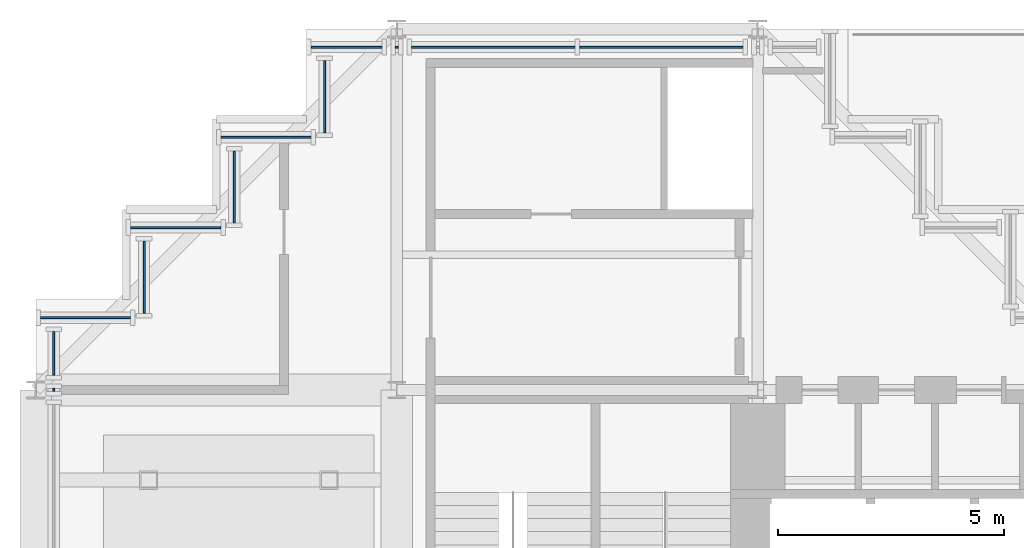
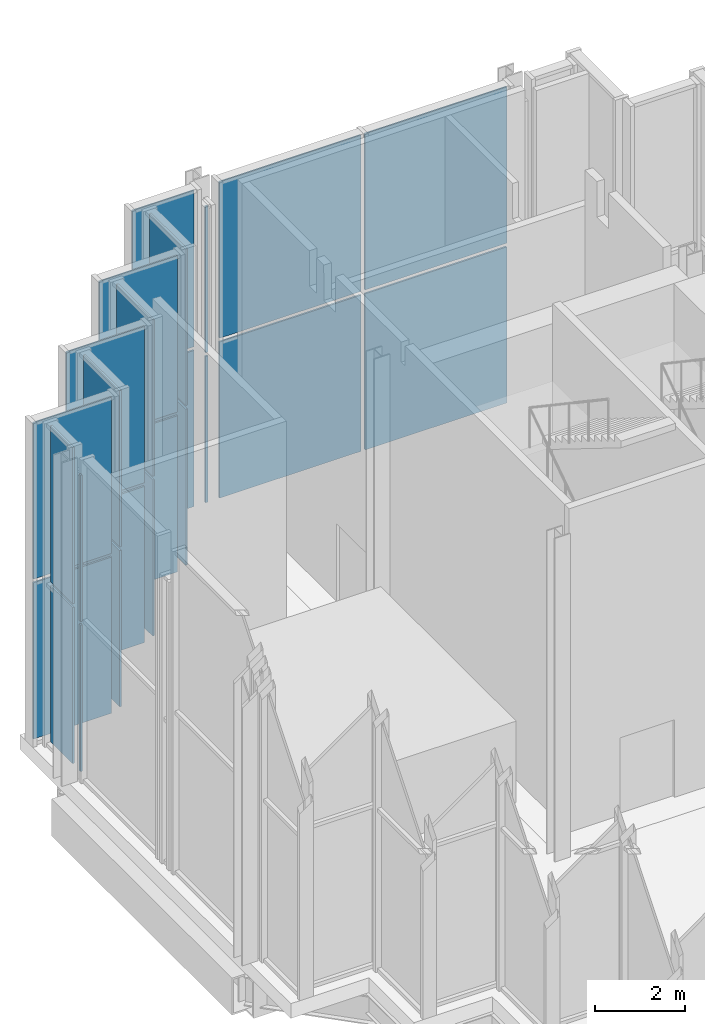
# One storey, part 9 of 15: 24 plates, 11 elements without a shape of their own.
"""IFC4 building model written with IfcOpenShell, lengths in metres."""

from ifc_helpers import new_model, si_unit, direction, frame, origin, origin_2d, place, context, subcontext, project, spatial, rectangle, extrude, material, layer, layer_set, type_object, element, aggregate, save


model = new_model("IFC4")

# Units and contexts
model_context = context("Model", 3, precision=1e-05, world=origin(), true_north=direction((0.0, 1.0)))
body_context = subcontext(model_context, "Body", "Model", "MODEL_VIEW")
ifc_project = project(units=[si_unit("LENGTHUNIT", "METRE"), si_unit("AREAUNIT", "SQUARE_METRE"), si_unit("VOLUMEUNIT", "CUBIC_METRE"), si_unit("PLANEANGLEUNIT", "RADIAN"), si_unit("MASSUNIT", "GRAM", prefix="KILO")], contexts=[model_context])

# Site, building, storey
site_placement = place(None, origin())
site = spatial("IfcSite", under=ifc_project, at=site_placement, CompositionType="ELEMENT")
building_placement = place(site_placement, origin())
building = spatial("IfcBuilding", under=site, at=building_placement, Name="Immortelle Media Tower", CompositionType="ELEMENT")
storey_placement = place(building_placement, frame((0.0, 0.0, 299.0)))
storey = spatial("IfcBuildingStorey", under=building, at=storey_placement, Name="L66", CompositionType="ELEMENT", Elevation=299.0)

# Curtain wall, plates
ifc_material_1 = material(Name="Aluminium curtain wall system", Category="aluminium")
curtain_wall_type = type_object("IfcCurtainWallType", Name="Damper hall glazing curtain wall", PredefinedType="NOTDEFINED", material=ifc_material_1)
curtain_wall_1_placement = place(storey_placement, origin())
curtain_wall_1 = element("IfcCurtainWall", 1, at=curtain_wall_1_placement, inside=storey, type_object=curtain_wall_type, Name="Damper hall glazing L66 N 14-3", PredefinedType="NOTDEFINED")
ifc_material_2 = material(Name="Warm-lit low-E double glazing", Category="glass")
ifc_layer = layer(ifc_material_2, 0.0439453125)
ifc_layer_set = layer_set([ifc_layer], Name="Warm-lit low-E double glazing")
plate_type = type_object("IfcPlateType", Name="Laminated solar control glazed panel 44 mm", PredefinedType="CURTAIN_PANEL", material=ifc_layer_set)
plate_1_placement = place(storey_placement, frame((13.86328125, 23.60009765625, 0.10009765625), z_axis=(0.0, 0.0, 1.0), x_axis=(-1.0, 0.0, 0.0)))
plate_1 = element("IfcPlate", 2, at=plate_1_placement, type_object=plate_type, Name="CW5 panel 1.1", PredefinedType="CURTAIN_PANEL", context=body_context, shape_type="SweptSolid", body=[
    extrude(rectangle(XDim=3.62646484375, YDim=0.0439453125, at=origin_2d()), origin(), (0.0, 0.0, 1.0), 4.224853515625),
])
plate_2_placement = place(storey_placement, frame((13.86328125, 23.60009765625, 4.4248046875), z_axis=(0.0, 0.0, 1.0), x_axis=(-1.0, 0.0, 0.0)))
plate_2 = element("IfcPlate", 3, at=plate_2_placement, type_object=plate_type, Name="CW5 panel 1.2", PredefinedType="CURTAIN_PANEL", context=body_context, shape_type="SweptSolid", body=[
    extrude(rectangle(XDim=3.62646484375, YDim=0.0439453125, at=origin_2d()), origin(), (0.0, 0.0, 1.0), 4.224853515625),
])
plate_3_placement = place(storey_placement, frame((10.13671875, 23.60009765625, 0.10009765625), z_axis=(0.0, 0.0, 1.0), x_axis=(-1.0, 0.0, 0.0)))
plate_3 = element("IfcPlate", 4, at=plate_3_placement, type_object=plate_type, Name="CW5 panel 2.1", PredefinedType="CURTAIN_PANEL", context=body_context, shape_type="SweptSolid", body=[
    extrude(rectangle(XDim=3.62646484375, YDim=0.0439453125, at=origin_2d()), origin(), (0.0, 0.0, 1.0), 4.224853515625),
])
plate_4_placement = place(storey_placement, frame((10.13671875, 23.60009765625, 4.4248046875), z_axis=(0.0, 0.0, 1.0), x_axis=(-1.0, 0.0, 0.0)))
plate_4 = element("IfcPlate", 5, at=plate_4_placement, type_object=plate_type, Name="CW5 panel 2.2", PredefinedType="CURTAIN_PANEL", context=body_context, shape_type="SweptSolid", body=[
    extrude(rectangle(XDim=3.62646484375, YDim=0.0439453125, at=origin_2d()), origin(), (0.0, 0.0, 1.0), 4.224853515625),
])
aggregate(curtain_wall_1, [plate_1, plate_2, plate_3, plate_4])

curtain_wall_2_placement = place(storey_placement, origin())
curtain_wall_2 = element("IfcCurtainWall", 6, at=curtain_wall_2_placement, inside=storey, type_object=curtain_wall_type, Name="Damper hall glazing L66 N 14-4", PredefinedType="NOTDEFINED")
plate_5_placement = place(storey_placement, frame((8.0, 23.60009765625, 0.10009765625), z_axis=(0.0, 0.0, 1.0), x_axis=(-1.0, 0.0, 0.0)))
plate_5 = element("IfcPlate", 7, at=plate_5_placement, type_object=plate_type, Name="CW5 panel 1.1", PredefinedType="CURTAIN_PANEL", context=body_context, shape_type="SweptSolid", body=[
    extrude(rectangle(XDim=0.06689453125, YDim=0.0439453125, at=origin_2d()), origin(), (0.0, 0.0, 1.0), 3.956787109375),
])
plate_6_placement = place(storey_placement, frame((8.0, 23.60009765625, 4.15673828125), z_axis=(0.0, 0.0, 1.0), x_axis=(-1.0, 0.0, 0.0)))
plate_6 = element("IfcPlate", 8, at=plate_6_placement, type_object=plate_type, Name="CW5 panel 1.2", PredefinedType="CURTAIN_PANEL", context=body_context, shape_type="SweptSolid", body=[
    extrude(rectangle(XDim=0.06689453125, YDim=0.0439453125, at=origin_2d()), origin(), (0.0, 0.0, 1.0), 3.956787109375),
])
aggregate(curtain_wall_2, [plate_5, plate_6])

curtain_wall_3_placement = place(storey_placement, origin())
curtain_wall_3 = element("IfcCurtainWall", 9, at=curtain_wall_3_placement, inside=storey, type_object=curtain_wall_type, Name="Damper hall glazing L66 N 14-5", PredefinedType="NOTDEFINED")
plate_7_placement = place(storey_placement, frame((6.88818359375, 23.60009765625, 0.10009765625), z_axis=(0.0, 0.0, 1.0), x_axis=(-1.0, 0.0, 0.0)))
plate_7 = element("IfcPlate", 10, at=plate_7_placement, type_object=plate_type, Name="CW5 panel 1.1", PredefinedType="CURTAIN_PANEL", context=body_context, shape_type="SweptSolid", body=[
    extrude(rectangle(XDim=1.576416015625, YDim=0.0439453125, at=origin_2d()), origin(), (0.0, 0.0, 1.0), 4.224853515625),
])
plate_8_placement = place(storey_placement, frame((6.88818359375, 23.60009765625, 4.4248046875), z_axis=(0.0, 0.0, 1.0), x_axis=(-1.0, 0.0, 0.0)))
plate_8 = element("IfcPlate", 11, at=plate_8_placement, type_object=plate_type, Name="CW5 panel 1.2", PredefinedType="CURTAIN_PANEL", context=body_context, shape_type="SweptSolid", body=[
    extrude(rectangle(XDim=1.576416015625, YDim=0.0439453125, at=origin_2d()), origin(), (0.0, 0.0, 1.0), 4.224853515625),
])
aggregate(curtain_wall_3, [plate_7, plate_8])

curtain_wall_4_placement = place(storey_placement, origin())
curtain_wall_4 = element("IfcCurtainWall", 12, at=curtain_wall_4_placement, inside=storey, type_object=curtain_wall_type, Name="Damper hall glazing L66 W 15", PredefinedType="NOTDEFINED")
plate_9_placement = place(storey_placement, frame((6.39990234375, 22.5, 0.10009765625), z_axis=(0.0, 0.0, 1.0), x_axis=(0.0, -1.0, 0.0)))
plate_9 = element("IfcPlate", 13, at=plate_9_placement, type_object=plate_type, Name="CW5 panel 1.1", PredefinedType="CURTAIN_PANEL", context=body_context, shape_type="SweptSolid", body=[
    extrude(rectangle(XDim=1.60009765625, YDim=0.0439453125, at=origin_2d()), origin(), (0.0, 0.0, 1.0), 4.224853515625),
])
plate_10_placement = place(storey_placement, frame((6.39990234375, 22.5, 4.4248046875), z_axis=(0.0, 0.0, 1.0), x_axis=(0.0, -1.0, 0.0)))
plate_10 = element("IfcPlate", 14, at=plate_10_placement, type_object=plate_type, Name="CW5 panel 1.2", PredefinedType="CURTAIN_PANEL", context=body_context, shape_type="SweptSolid", body=[
    extrude(rectangle(XDim=1.60009765625, YDim=0.0439453125, at=origin_2d()), origin(), (0.0, 0.0, 1.0), 4.224853515625),
])
aggregate(curtain_wall_4, [plate_9, plate_10])

curtain_wall_5_placement = place(storey_placement, origin())
curtain_wall_5 = element("IfcCurtainWall", 15, at=curtain_wall_5_placement, inside=storey, type_object=curtain_wall_type, Name="Damper hall glazing L66 N 16", PredefinedType="NOTDEFINED")
plate_11_placement = place(storey_placement, frame((5.10009765625, 21.60009765625, 0.10009765625), z_axis=(0.0, 0.0, 1.0), x_axis=(-1.0, 0.0, 0.0)))
plate_11 = element("IfcPlate", 16, at=plate_11_placement, type_object=plate_type, Name="CW5 panel 1.1", PredefinedType="CURTAIN_PANEL", context=body_context, shape_type="SweptSolid", body=[
    extrude(rectangle(XDim=2.0, YDim=0.0439453125, at=origin_2d()), origin(), (0.0, 0.0, 1.0), 4.224853515625),
])
plate_12_placement = place(storey_placement, frame((5.10009765625, 21.60009765625, 4.4248046875), z_axis=(0.0, 0.0, 1.0), x_axis=(-1.0, 0.0, 0.0)))
plate_12 = element("IfcPlate", 17, at=plate_12_placement, type_object=plate_type, Name="CW5 panel 1.2", PredefinedType="CURTAIN_PANEL", context=body_context, shape_type="SweptSolid", body=[
    extrude(rectangle(XDim=2.0, YDim=0.0439453125, at=origin_2d()), origin(), (0.0, 0.0, 1.0), 4.224853515625),
])
aggregate(curtain_wall_5, [plate_11, plate_12])

curtain_wall_6_placement = place(storey_placement, origin())
curtain_wall_6 = element("IfcCurtainWall", 18, at=curtain_wall_6_placement, inside=storey, type_object=curtain_wall_type, Name="Damper hall glazing L66 W 17", PredefinedType="NOTDEFINED")
plate_13_placement = place(storey_placement, frame((4.39990234375, 20.5, 0.10009765625), z_axis=(0.0, 0.0, 1.0), x_axis=(0.0, -1.0, 0.0)))
plate_13 = element("IfcPlate", 19, at=plate_13_placement, type_object=plate_type, Name="CW5 panel 1.1", PredefinedType="CURTAIN_PANEL", context=body_context, shape_type="SweptSolid", body=[
    extrude(rectangle(XDim=1.60009765625, YDim=0.0439453125, at=origin_2d()), origin(), (0.0, 0.0, 1.0), 4.224853515625),
])
plate_14_placement = place(storey_placement, frame((4.39990234375, 20.5, 4.4248046875), z_axis=(0.0, 0.0, 1.0), x_axis=(0.0, -1.0, 0.0)))
plate_14 = element("IfcPlate", 20, at=plate_14_placement, type_object=plate_type, Name="CW5 panel 1.2", PredefinedType="CURTAIN_PANEL", context=body_context, shape_type="SweptSolid", body=[
    extrude(rectangle(XDim=1.60009765625, YDim=0.0439453125, at=origin_2d()), origin(), (0.0, 0.0, 1.0), 4.224853515625),
])
aggregate(curtain_wall_6, [plate_13, plate_14])

curtain_wall_7_placement = place(storey_placement, origin())
curtain_wall_7 = element("IfcCurtainWall", 21, at=curtain_wall_7_placement, inside=storey, type_object=curtain_wall_type, Name="Damper hall glazing L66 N 18", PredefinedType="NOTDEFINED")
plate_15_placement = place(storey_placement, frame((3.10009765625, 19.60009765625, 0.10009765625), z_axis=(0.0, 0.0, 1.0), x_axis=(-1.0, 0.0, 0.0)))
plate_15 = element("IfcPlate", 22, at=plate_15_placement, type_object=plate_type, Name="CW5 panel 1.1", PredefinedType="CURTAIN_PANEL", context=body_context, shape_type="SweptSolid", body=[
    extrude(rectangle(XDim=2.0, YDim=0.0439453125, at=origin_2d()), origin(), (0.0, 0.0, 1.0), 4.224853515625),
])
plate_16_placement = place(storey_placement, frame((3.10009765625, 19.60009765625, 4.4248046875), z_axis=(0.0, 0.0, 1.0), x_axis=(-1.0, 0.0, 0.0)))
plate_16 = element("IfcPlate", 23, at=plate_16_placement, type_object=plate_type, Name="CW5 panel 1.2", PredefinedType="CURTAIN_PANEL", context=body_context, shape_type="SweptSolid", body=[
    extrude(rectangle(XDim=2.0, YDim=0.0439453125, at=origin_2d()), origin(), (0.0, 0.0, 1.0), 4.224853515625),
])
aggregate(curtain_wall_7, [plate_15, plate_16])

curtain_wall_8_placement = place(storey_placement, origin())
curtain_wall_8 = element("IfcCurtainWall", 24, at=curtain_wall_8_placement, inside=storey, type_object=curtain_wall_type, Name="Damper hall glazing L66 W 19", PredefinedType="NOTDEFINED")
plate_17_placement = place(storey_placement, frame((2.39990234375, 18.5, 0.10009765625), z_axis=(0.0, 0.0, 1.0), x_axis=(0.0, -1.0, 0.0)))
plate_17 = element("IfcPlate", 25, at=plate_17_placement, type_object=plate_type, Name="CW5 panel 1.1", PredefinedType="CURTAIN_PANEL", context=body_context, shape_type="SweptSolid", body=[
    extrude(rectangle(XDim=1.60009765625, YDim=0.0439453125, at=origin_2d()), origin(), (0.0, 0.0, 1.0), 4.224853515625),
])
plate_18_placement = place(storey_placement, frame((2.39990234375, 18.5, 4.4248046875), z_axis=(0.0, 0.0, 1.0), x_axis=(0.0, -1.0, 0.0)))
plate_18 = element("IfcPlate", 26, at=plate_18_placement, type_object=plate_type, Name="CW5 panel 1.2", PredefinedType="CURTAIN_PANEL", context=body_context, shape_type="SweptSolid", body=[
    extrude(rectangle(XDim=1.60009765625, YDim=0.0439453125, at=origin_2d()), origin(), (0.0, 0.0, 1.0), 4.224853515625),
])
aggregate(curtain_wall_8, [plate_17, plate_18])

curtain_wall_9_placement = place(storey_placement, origin())
curtain_wall_9 = element("IfcCurtainWall", 27, at=curtain_wall_9_placement, inside=storey, type_object=curtain_wall_type, Name="Damper hall glazing L66 N 20", PredefinedType="NOTDEFINED")
plate_19_placement = place(storey_placement, frame((1.10009765625, 17.60009765625, 0.10009765625), z_axis=(0.0, 0.0, 1.0), x_axis=(-1.0, 0.0, 0.0)))
plate_19 = element("IfcPlate", 28, at=plate_19_placement, type_object=plate_type, Name="CW5 panel 1.1", PredefinedType="CURTAIN_PANEL", context=body_context, shape_type="SweptSolid", body=[
    extrude(rectangle(XDim=2.0, YDim=0.0439453125, at=origin_2d()), origin(), (0.0, 0.0, 1.0), 4.224853515625),
])
plate_20_placement = place(storey_placement, frame((1.10009765625, 17.60009765625, 4.4248046875), z_axis=(0.0, 0.0, 1.0), x_axis=(-1.0, 0.0, 0.0)))
plate_20 = element("IfcPlate", 29, at=plate_20_placement, type_object=plate_type, Name="CW5 panel 1.2", PredefinedType="CURTAIN_PANEL", context=body_context, shape_type="SweptSolid", body=[
    extrude(rectangle(XDim=2.0, YDim=0.0439453125, at=origin_2d()), origin(), (0.0, 0.0, 1.0), 4.224853515625),
])
aggregate(curtain_wall_9, [plate_19, plate_20])

curtain_wall_10_placement = place(storey_placement, origin())
curtain_wall_10 = element("IfcCurtainWall", 30, at=curtain_wall_10_placement, inside=storey, type_object=curtain_wall_type, Name="Damper hall glazing L66 W 21-1", PredefinedType="NOTDEFINED")
plate_21_placement = place(storey_placement, frame((0.39990234375, 16.811767578125, 0.10009765625), z_axis=(0.0, 0.0, 1.0), x_axis=(0.0, -1.0, 0.0)))
plate_21 = element("IfcPlate", 31, at=plate_21_placement, type_object=plate_type, Name="CW5 panel 1.1", PredefinedType="CURTAIN_PANEL", context=body_context, shape_type="SweptSolid", body=[
    extrude(rectangle(XDim=0.9765625, YDim=0.0439453125, at=origin_2d()), origin(), (0.0, 0.0, 1.0), 4.224853515625),
])
plate_22_placement = place(storey_placement, frame((0.39990234375, 16.811767578125, 4.4248046875), z_axis=(0.0, 0.0, 1.0), x_axis=(0.0, -1.0, 0.0)))
plate_22 = element("IfcPlate", 32, at=plate_22_placement, type_object=plate_type, Name="CW5 panel 1.2", PredefinedType="CURTAIN_PANEL", context=body_context, shape_type="SweptSolid", body=[
    extrude(rectangle(XDim=0.9765625, YDim=0.0439453125, at=origin_2d()), origin(), (0.0, 0.0, 1.0), 4.224853515625),
])
aggregate(curtain_wall_10, [plate_21, plate_22])

curtain_wall_11_placement = place(storey_placement, origin())
curtain_wall_11 = element("IfcCurtainWall", 33, at=curtain_wall_11_placement, inside=storey, type_object=curtain_wall_type, Name="Damper hall glazing L66 W 21-2", PredefinedType="NOTDEFINED")
plate_23_placement = place(storey_placement, frame((0.39990234375, 16.0, 0.10009765625), z_axis=(0.0, 0.0, 1.0), x_axis=(0.0, -1.0, 0.0)))
plate_23 = element("IfcPlate", 34, at=plate_23_placement, type_object=plate_type, Name="CW5 panel 1.1", PredefinedType="CURTAIN_PANEL", context=body_context, shape_type="SweptSolid", body=[
    extrude(rectangle(XDim=0.06689453125, YDim=0.0439453125, at=origin_2d()), origin(), (0.0, 0.0, 1.0), 3.956787109375),
])
plate_24_placement = place(storey_placement, frame((0.39990234375, 16.0, 4.15673828125), z_axis=(0.0, 0.0, 1.0), x_axis=(0.0, -1.0, 0.0)))
plate_24 = element("IfcPlate", 35, at=plate_24_placement, type_object=plate_type, Name="CW5 panel 1.2", PredefinedType="CURTAIN_PANEL", context=body_context, shape_type="SweptSolid", body=[
    extrude(rectangle(XDim=0.06689453125, YDim=0.0439453125, at=origin_2d()), origin(), (0.0, 0.0, 1.0), 3.956787109375),
])
aggregate(curtain_wall_11, [plate_23, plate_24])

save(model, "model.ifc")
